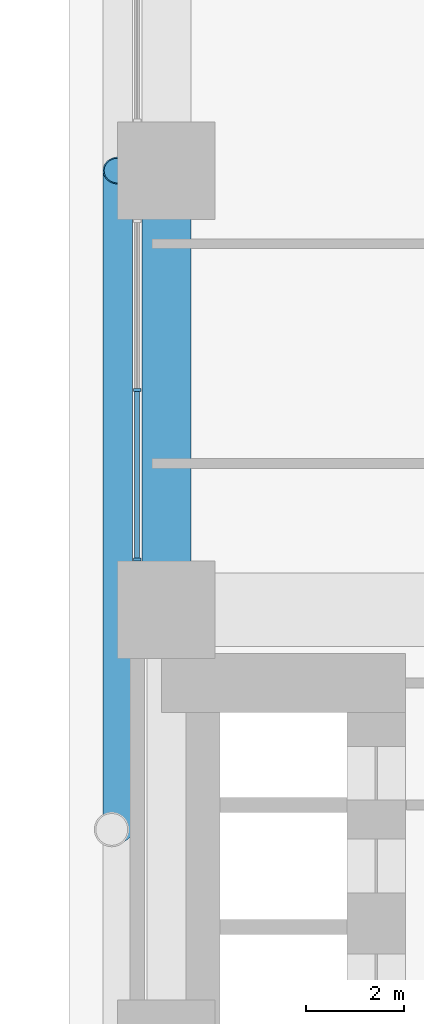
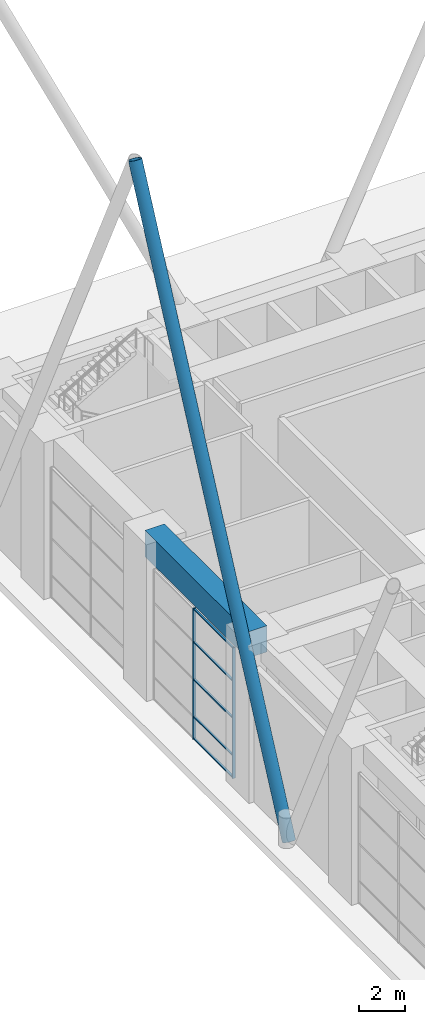
# One storey, part 7 of 44: 8 members, 1 beam, 1 element without a shape of its own.
"""IFC4 building model written with IfcOpenShell, lengths in metres."""

from ifc_helpers import new_model, si_unit, direction, frame, origin, origin_2d, place, context, subcontext, project, spatial, rectangle, hollow_circle, extrude, material, material_profile, profile_set, type_object, element, aggregate, save


model = new_model("IFC4")

# Units and contexts
model_context = context("Model", 3, precision=1e-05, world=origin(), true_north=direction((0.0, 1.0)))
body_context = subcontext(model_context, "Body", "Model", "MODEL_VIEW")
ifc_project = project(units=[si_unit("LENGTHUNIT", "METRE"), si_unit("AREAUNIT", "SQUARE_METRE"), si_unit("VOLUMEUNIT", "CUBIC_METRE"), si_unit("PLANEANGLEUNIT", "RADIAN"), si_unit("MASSUNIT", "GRAM", prefix="KILO")], contexts=[model_context])

# Site, building, storey
site_placement = place(None, origin())
site = spatial("IfcSite", under=ifc_project, at=site_placement, CompositionType="ELEMENT")
building_placement = place(site_placement, origin())
building = spatial("IfcBuilding", under=site, at=building_placement, Name="Firuza Court", CompositionType="ELEMENT")
storey_placement = place(building_placement, origin())
storey = spatial("IfcBuildingStorey", under=building, at=storey_placement, Name="L00", CompositionType="ELEMENT", Elevation=0.0)

# Member
ifc_material_1 = material(Name="Steel S355", Category="steel")
ifc_material_profile_1 = material_profile(ifc_material_1, hollow_circle(Radius=0.304931640625, WallThickness=0.02490234375, at=origin_2d()), Name="CHS 610x25")
ifc_profile_set_1 = profile_set([ifc_material_profile_1], Name="Steel S355")
member_type_1 = type_object("IfcMemberType", Name="Diagrid diagonal CHS 610x25 S355", PredefinedType="USERDEFINED", material=ifc_profile_set_1)
member_1_placement = place(storey_placement, frame((-0.9951171875, 31.5, 0.130859375), z_axis=(0.0, 0.430315969648, 0.902678329343), x_axis=(-1.0, 0.0, 0.0)))
element("IfcMember", 1, at=member_1_placement, inside=storey, type_object=member_type_1, Name="Diagrid diagonal L00 to L05", ObjectType="DIAGRID", PredefinedType="USERDEFINED", context=body_context, shape_type="SweptSolid", body=[
    extrude(hollow_circle(Radius=0.304931640625, WallThickness=0.02490234375, at=origin_2d()), origin(), (0.0, 0.0, 1.0), 31.372314453125),
])

# Curtain wall, members
ifc_material_2 = material(Name="Aluminium curtain wall, triple clear glazing", Category="aluminium")
curtain_wall_type = type_object("IfcCurtainWallType", Name="Ground lobby stick shopfront CW2", PredefinedType="NOTDEFINED", material=ifc_material_2)
curtain_wall_placement = place(storey_placement, origin())
curtain_wall = element("IfcCurtainWall", 2, at=curtain_wall_placement, inside=storey, type_object=curtain_wall_type, Name="Ground lobby stick shopfront CW2 L00", PredefinedType="NOTDEFINED")
ifc_material_3 = material(Name="Aluminium EN AW-6060 T66", Category="aluminium")
ifc_material_profile_2 = material_profile(ifc_material_3, rectangle(XDim=0.14990234375, YDim=0.06005859375, at=origin_2d()), Name="Mullion 150 x 60 CW2")
ifc_profile_set_2 = profile_set([ifc_material_profile_2], Name="Aluminium EN AW-6060 T66")
member_type_2 = type_object("IfcMemberType", Name="Mullion 150 x 60 CW2", PredefinedType="MULLION", material=ifc_profile_set_2)
member_2_placement = place(storey_placement, frame((-0.60009765625, 40.5, 0.0), z_axis=(0.0, 0.0, 1.0), x_axis=(1.0, 0.0, 0.0)))
member_2 = element("IfcMember", 3, at=member_2_placement, type_object=member_type_2, Name="CW2 mullion 2", PredefinedType="MULLION", context=body_context, shape_type="SweptSolid", body=[
    extrude(rectangle(XDim=0.14990234375, YDim=0.06005859375, at=origin_2d()), origin(), (0.0, 0.0, 1.0), 7.0),
])
member_3_placement = place(storey_placement, frame((-0.60009765625, 37.030029296875, 0.0), z_axis=(0.0, 0.0, 1.0), x_axis=(1.0, 0.0, 0.0)))
member_3 = element("IfcMember", 4, at=member_3_placement, type_object=member_type_2, Name="CW2 mullion 3", PredefinedType="MULLION", context=body_context, shape_type="SweptSolid", body=[
    extrude(rectangle(XDim=0.14990234375, YDim=0.06005859375, at=origin_2d()), origin(), (0.0, 0.0, 1.0), 7.0),
])

# Beam
ifc_material_4 = material(Name="Concrete C60/75", Category="concrete")
ifc_material_profile_3 = material_profile(ifc_material_4, rectangle(XDim=1.0, YDim=1.39990234375, at=origin_2d()), Name="RC 1000x1400")
ifc_profile_set_3 = profile_set([ifc_material_profile_3], Name="Concrete C60/75")
beam_type = type_object("IfcBeamType", Name="Transfer girder RC 1000x1400 C60/75", PredefinedType="USERDEFINED", material=ifc_profile_set_3)
beam_placement = place(storey_placement, frame((0.0, 45.0, 7.699951171875), z_axis=(0.0, -1.0, 0.0), x_axis=(1.0, 0.0, 0.0)))
element("IfcBeam", 5, at=beam_placement, inside=storey, type_object=beam_type, Name="Transfer girder TG1 level L01", ObjectType="TRANSFER GIRDER", PredefinedType="USERDEFINED", context=body_context, shape_type="SweptSolid", body=[
    extrude(rectangle(XDim=1.0, YDim=1.39990234375, at=origin_2d()), origin(), (0.0, 0.0, 1.0), 9.0),
])

# Member
ifc_material_5 = material(Name="Aluminium EN AW-6060 T66", Category="aluminium")
ifc_material_profile_4 = material_profile(ifc_material_5, rectangle(XDim=0.10009765625, YDim=0.06005859375, at=origin_2d()), Name="Transom 100 x 60 CW2")
ifc_profile_set_4 = profile_set([ifc_material_profile_4], Name="Aluminium EN AW-6060 T66")
member_type_3 = type_object("IfcMemberType", Name="Transom 100 x 60 CW2", PredefinedType="USERDEFINED", material=ifc_profile_set_4)
member_4_placement = place(storey_placement, frame((-0.60009765625, 40.469970703125, 0.030029296875), z_axis=(0.0, -1.0, 0.0), x_axis=(1.0, 0.0, 0.0)))
member_4 = element("IfcMember", 6, at=member_4_placement, type_object=member_type_3, Name="CW2 transom 2.1", ObjectType="TRANSOM", PredefinedType="USERDEFINED", context=body_context, shape_type="SweptSolid", body=[
    extrude(rectangle(XDim=0.10009765625, YDim=0.06005859375, at=origin_2d()), origin(), (0.0, 0.0, 1.0), 3.409912109375),
])

member_5_placement = place(storey_placement, frame((-0.60009765625, 40.469970703125, 1.199951171875), z_axis=(0.0, -1.0, 0.0), x_axis=(1.0, 0.0, 0.0)))
member_5 = element("IfcMember", 7, at=member_5_placement, type_object=member_type_3, Name="CW2 transom 2.2", ObjectType="TRANSOM", PredefinedType="USERDEFINED", context=body_context, shape_type="SweptSolid", body=[
    extrude(rectangle(XDim=0.10009765625, YDim=0.06005859375, at=origin_2d()), origin(), (0.0, 0.0, 1.0), 3.409912109375),
])

member_6_placement = place(storey_placement, frame((-0.60009765625, 40.469970703125, 3.199951171875), z_axis=(0.0, -1.0, 0.0), x_axis=(1.0, 0.0, 0.0)))
member_6 = element("IfcMember", 8, at=member_6_placement, type_object=member_type_3, Name="CW2 transom 2.3", ObjectType="TRANSOM", PredefinedType="USERDEFINED", context=body_context, shape_type="SweptSolid", body=[
    extrude(rectangle(XDim=0.10009765625, YDim=0.06005859375, at=origin_2d()), origin(), (0.0, 0.0, 1.0), 3.409912109375),
])

member_7_placement = place(storey_placement, frame((-0.60009765625, 40.469970703125, 5.199951171875), z_axis=(0.0, -1.0, 0.0), x_axis=(1.0, 0.0, 0.0)))
member_7 = element("IfcMember", 9, at=member_7_placement, type_object=member_type_3, Name="CW2 transom 2.4", ObjectType="TRANSOM", PredefinedType="USERDEFINED", context=body_context, shape_type="SweptSolid", body=[
    extrude(rectangle(XDim=0.10009765625, YDim=0.06005859375, at=origin_2d()), origin(), (0.0, 0.0, 1.0), 3.409912109375),
])

member_8_placement = place(storey_placement, frame((-0.60009765625, 40.469970703125, 6.969970703125), z_axis=(0.0, -1.0, 0.0), x_axis=(1.0, 0.0, 0.0)))
member_8 = element("IfcMember", 10, at=member_8_placement, type_object=member_type_3, Name="CW2 transom 2.5", ObjectType="TRANSOM", PredefinedType="USERDEFINED", context=body_context, shape_type="SweptSolid", body=[
    extrude(rectangle(XDim=0.10009765625, YDim=0.06005859375, at=origin_2d()), origin(), (0.0, 0.0, 1.0), 3.409912109375),
])

aggregate(curtain_wall, [member_2, member_3, member_4, member_5, member_6, member_7, member_8])

save(model, "model.ifc")
